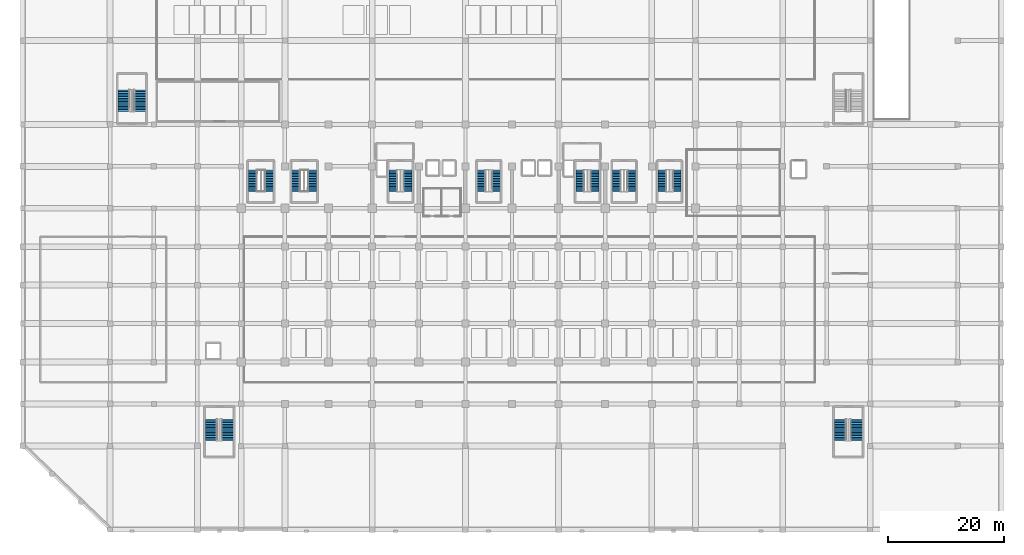
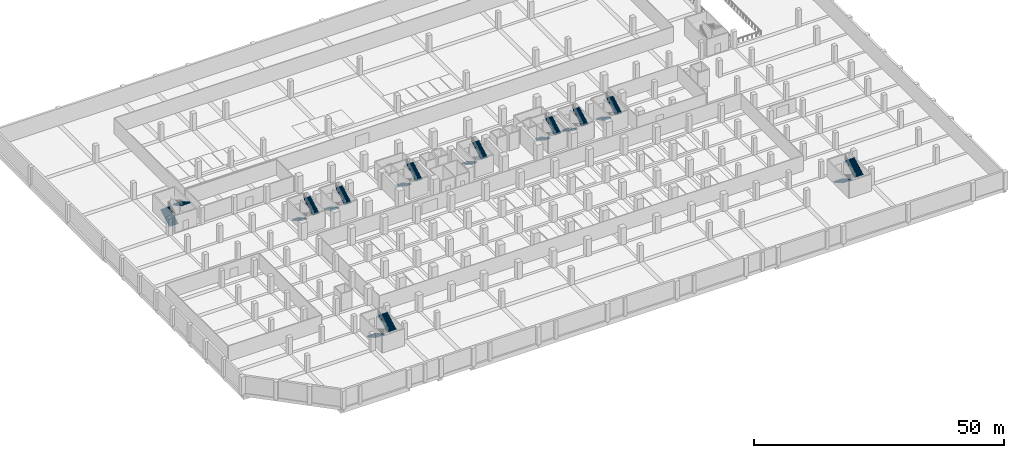
# One storey, part 19 of 25: 20 stair flights, 10 elements without a shape of their own.
"""IFC4 building model written with IfcOpenShell, lengths in metres."""

import ifcopenshell
import ifcopenshell.guid

model = None  # the IFC model being written
_history = None  # IfcOwnerHistory: only IFC2X3 demands one
_inside = {}  # id of a spatial element -> (the spatial element, [elements in it])
_under = {}  # id of a project, library or spatial element -> (it, [spatial elements below it])
_declared = {}  # id of a project -> (the project, [libraries it declares])
_typed = {}  # id of a type object -> (the type object, [elements of that type])
_made_of = {}  # id of a material, layer set ... -> (it, [elements and type objects made of it])


def new_model(schema):
    """Start an empty IFC model of exactly this schema.

    Asked for "IFC4X3", IfcOpenShell would pick the latest addendum, in which some entities
    have other attributes; the version numbers below select the first issue.
    IFC2X3 requires an IfcOwnerHistory on every rooted entity: one is made here for all.
    """
    global model, _history
    if schema == "IFC4X3":
        model = ifcopenshell.file(schema_version=(4, 3, 0, 0))
    else:
        model = ifcopenshell.file(schema=schema)
    _inside.clear()
    _under.clear()
    _declared.clear()
    _typed.clear()
    _made_of.clear()
    _history = None
    if model.schema == "IFC2X3":
        org = make("IfcOrganization", Name="unknown")
        user = make(
            "IfcPersonAndOrganization",
            ThePerson=make("IfcPerson", FamilyName="unknown"),
            TheOrganization=org,
        )
        app = make(
            "IfcApplication",
            ApplicationDeveloper=org,
            Version="unknown",
            ApplicationFullName="unknown",
            ApplicationIdentifier="unknown",
        )
        _history = make(
            "IfcOwnerHistory",
            OwningUser=user,
            OwningApplication=app,
            ChangeAction="ADDED",
            CreationDate=0,
        )
    return model


def make(cls, **values):
    """One entity of the class cls with the attributes given. An attribute that is None is left unset."""
    return model.create_entity(
        cls, **{name: value for name, value in values.items() if value is not None}
    )


def rooted(cls, **values):
    """An entity with a GlobalId (a new one), such as an element, a storey or a relation."""
    return make(cls, GlobalId=ifcopenshell.guid.new(), OwnerHistory=_history, **values)


def si_unit(unit_type, name, prefix=None):
    """IfcSIUnit, for example si_unit("LENGTHUNIT", "METRE", prefix="MILLI")."""
    return make("IfcSIUnit", UnitType=unit_type, Prefix=prefix, Name=name)


def assignment(units):
    """IfcUnitAssignment: the units of a project."""
    return None if units is None else make("IfcUnitAssignment", Units=units)


def point(xyz):
    """IfcCartesianPoint."""
    return None if xyz is None else make("IfcCartesianPoint", Coordinates=xyz)


def direction(xyz):
    """IfcDirection."""
    return None if xyz is None else make("IfcDirection", DirectionRatios=xyz)


def frame(location, z_axis=None, x_axis=None):
    """IfcAxis2Placement3D, a coordinate frame: its origin and axes. An axis left out is left unset."""
    return make(
        "IfcAxis2Placement3D",
        Location=point(location),
        Axis=direction(z_axis),
        RefDirection=direction(x_axis),
    )


def origin():
    """The frame at (0, 0, 0) with its axes left unset."""
    return frame((0.0, 0.0, 0.0))


def place(relative_to, where):
    """IfcLocalPlacement: puts the frame where relative to a parent placement (None: the world)."""
    return make(
        "IfcLocalPlacement", PlacementRelTo=relative_to, RelativePlacement=where
    )


def context(
    kind, dimensions, precision=None, world=None, true_north=None, identifier=None
):
    """IfcGeometricRepresentationContext, for example the 3D "Model" context."""
    return make(
        "IfcGeometricRepresentationContext",
        ContextIdentifier=identifier,
        ContextType=kind,
        CoordinateSpaceDimension=dimensions,
        Precision=precision,
        WorldCoordinateSystem=world,
        TrueNorth=true_north,
    )


def subcontext(parent, identifier, kind, view, scale=None):
    """IfcGeometricRepresentationSubContext, for example "Body" below "Model"."""
    return make(
        "IfcGeometricRepresentationSubContext",
        ContextIdentifier=identifier,
        ContextType=kind,
        ParentContext=parent,
        TargetScale=scale,
        TargetView=view,
    )


def project(units=None, contexts=None):
    """IfcProject with its units and contexts."""
    return rooted(
        "IfcProject",
        Name="project",
        RepresentationContexts=contexts,
        UnitsInContext=assignment(units),
    )


def spatial(cls, under=None, at=None, **own):
    """A site, building, storey or space (cls), placed at a placement, below another one or the project."""
    s = rooted(cls, ObjectPlacement=at, **own)
    if under is not None:
        _under.setdefault(under.id(), (under, []))[1].append(s)
    return s


def polyline(points):
    """IfcPolyline through the points."""
    return make("IfcPolyline", Points=[point(p) for p in points])


def outline(outer, holes=None, kind="AREA"):
    """IfcArbitraryClosedProfileDef: a profile drawn as a closed curve; with holes, ...WithVoids."""
    if holes is None:
        return make("IfcArbitraryClosedProfileDef", ProfileType=kind, OuterCurve=outer)
    return make(
        "IfcArbitraryProfileDefWithVoids",
        ProfileType=kind,
        OuterCurve=outer,
        InnerCurves=holes,
    )


def extrude(swept, where, along, depth):
    """IfcExtrudedAreaSolid: the profile swept, set in the frame where, extruded along a direction by depth."""
    return make(
        "IfcExtrudedAreaSolid",
        SweptArea=swept,
        Position=where,
        ExtrudedDirection=direction(along),
        Depth=depth,
    )


def shape(context_of_items, identifier, shape_type, items):
    """IfcShapeRepresentation: the items that make up one representation, for example the "Body"."""
    return make(
        "IfcShapeRepresentation",
        ContextOfItems=context_of_items,
        RepresentationIdentifier=identifier,
        RepresentationType=shape_type,
        Items=items,
    )


def material(Name=None, Category=None):
    """IfcMaterial."""
    return make("IfcMaterial", Name=Name, Category=Category)


def made_of(thing, what):
    """Note that an element or type object is made of a material, layer set ...; save() writes the relation."""
    if what is not None:
        _made_of.setdefault(what.id(), (what, []))[1].append(thing)
    return thing


def type_object(cls, material=None, **own):
    """A type object (cls), such as IfcWallType, which elements share."""
    return made_of(rooted(cls, **own), material)


def element(
    cls,
    number,
    at=None,
    inside=None,
    cuts=None,
    type_object=None,
    material=None,
    context=None,
    identifier="Body",
    shape_type=None,
    held_by="IfcProductDefinitionShape",
    body=None,
    shapes=None,
    **own,
):
    """One element of the class cls, such as IfcWall. Its Tag is "e" and its number.

    at: its placement. inside: the storey or other place that contains it. cuts: it is an
    opening in that element (IfcRelVoidsElement). A single representation is given by context,
    identifier, shape_type and body (its items); several are given by shapes. held_by: the class
    of the entity that holds the representations. save() writes the other relations.
    """
    e = rooted(cls, Tag="e%d" % number, ObjectPlacement=at, **own)
    if body is not None:
        shapes = [shape(context, identifier, shape_type, body)]
    if shapes is not None:
        e.Representation = make(held_by, Representations=shapes)
    if inside is not None:
        _inside.setdefault(inside.id(), (inside, []))[1].append(e)
    if cuts is not None:
        rooted(
            "IfcRelVoidsElement", RelatingBuildingElement=cuts, RelatedOpeningElement=e
        )
    if type_object is not None:
        _typed.setdefault(type_object.id(), (type_object, []))[1].append(e)
    return made_of(e, material)


def aggregate(whole, parts):
    """IfcRelAggregates: a whole, such as a stair, and the parts it consists of."""
    return rooted("IfcRelAggregates", RelatingObject=whole, RelatedObjects=parts)


def save(model, path):
    """Write the relations noted so far, then the file.

    IfcRelAggregates (storeys below a building ...), IfcRelContainedInSpatialStructure (elements
    in a storey), IfcRelDefinesByType, IfcRelAssociatesMaterial and IfcRelDeclares: one each for
    every whole, place, type object, material and project.
    """
    for whole, parts in _under.values():
        aggregate(whole, parts)
    for where, things in _inside.values():
        rooted(
            "IfcRelContainedInSpatialStructure",
            RelatedElements=things,
            RelatingStructure=where,
        )
    for kind, things in _typed.values():
        rooted("IfcRelDefinesByType", RelatedObjects=things, RelatingType=kind)
    for what, things in _made_of.values():
        rooted("IfcRelAssociatesMaterial", RelatedObjects=things, RelatingMaterial=what)
    for by, libraries in _declared.values():
        rooted("IfcRelDeclares", RelatingContext=by, RelatedDefinitions=libraries)
    model.write(path)


model = new_model("IFC4")

# Units and contexts
model_context = context("Model", 3, precision=1e-05, world=origin(), true_north=direction((0.0, 1.0)))
body_context = subcontext(model_context, "Body", "Model", "MODEL_VIEW")
ifc_project = project(units=[si_unit("LENGTHUNIT", "METRE"), si_unit("AREAUNIT", "SQUARE_METRE"), si_unit("VOLUMEUNIT", "CUBIC_METRE"), si_unit("PLANEANGLEUNIT", "RADIAN"), si_unit("MASSUNIT", "GRAM", prefix="KILO")], contexts=[model_context])

# Site, building, storey
site_placement = place(None, origin())
site = spatial("IfcSite", under=ifc_project, at=site_placement, CompositionType="ELEMENT")
building_placement = place(site_placement, origin())
building = spatial("IfcBuilding", under=site, at=building_placement, Name="Akrevak Sports Hall", CompositionType="ELEMENT")
storey_placement = place(building_placement, frame((0.0, 0.0, -4.5)))
storey = spatial("IfcBuildingStorey", under=building, at=storey_placement, Name="B01", CompositionType="ELEMENT", Elevation=-4.5)

# Stair, stair flights
ifc_material = material(Name="Concrete C40/50", Category="concrete")
stair_type_1 = type_object("IfcStairType", Name="ARC-STR-DOG-450", PredefinedType="HALF_TURN_STAIR", material=ifc_material)
stair_1_placement = place(storey_placement, origin())
stair_1 = element("IfcStair", 1, at=stair_1_placement, inside=storey, type_object=stair_type_1, Name="Protected Exit Stair ST1 (B01 to L00)", PredefinedType="HALF_TURN_STAIR")
stair_flight_type_1 = type_object("IfcStairFlightType", Name="ARC-FLT-165-161", PredefinedType="STRAIGHT", material=ifc_material)
stair_flight_1_placement = place(storey_placement, frame((63.610107421875, 61.735107421875, 0.0), z_axis=(0.0, 0.0, 1.0), x_axis=(0.0, -1.0, 0.0)))
stair_flight_1 = element("IfcStairFlight", 2, at=stair_flight_1_placement, type_object=stair_flight_type_1, Name="Stair ST1 Flight 1 (B01)", NumberOfRisers=14, NumberOfTreads=13, PredefinedType="STRAIGHT", RiserHeight=0.160714, TreadLength=0.28, context=body_context, shape_type="SweptSolid", body=[
    extrude(outline(polyline([(0.0, 0.0), (0.0, 0.16064453125), (0.280029296875, 0.16064453125), (0.280029296875, 0.321533203125), (0.56005859375, 0.321533203125), (0.56005859375, 0.482177734375), (0.840087890625, 0.482177734375), (0.840087890625, 0.642822265625), (1.1201171875, 0.642822265625), (1.1201171875, 0.803466796875), (1.39990234375, 0.803466796875), (1.39990234375, 0.96435546875), (1.679931640625, 0.96435546875), (1.679931640625, 1.125), (1.9599609375, 1.125), (1.9599609375, 1.28564453125), (2.239990234375, 1.28564453125), (2.239990234375, 1.446533203125), (2.52001953125, 1.446533203125), (2.52001953125, 1.607177734375), (2.800048828125, 1.607177734375), (2.800048828125, 1.767822265625), (3.080078125, 1.767822265625), (3.080078125, 1.928466796875), (3.360107421875, 1.928466796875), (3.360107421875, 2.08935546875), (3.639892578125, 2.08935546875), (3.639892578125, 2.25), (3.639892578125, 1.858642578125), (0.401611328125, 0.0), (0.0, 0.0)])), frame((0.0, 0.75, 0.0), z_axis=(0.0, -1.0, 0.0), x_axis=(1.0, 0.0, 0.0)), (0.0, 0.0, 1.0), 1.5),
])
stair_flight_2_placement = place(storey_placement, frame((66.090087890625, 58.094970703125, 2.25), z_axis=(0.0, 0.0, 1.0), x_axis=(0.0, 1.0, 0.0)))
stair_flight_2 = element("IfcStairFlight", 3, at=stair_flight_2_placement, type_object=stair_flight_type_1, Name="Stair ST1 Flight 2 (B01)", NumberOfRisers=14, NumberOfTreads=13, PredefinedType="STRAIGHT", RiserHeight=0.160714, TreadLength=0.28, context=body_context, shape_type="SweptSolid", body=[
    extrude(outline(polyline([(0.0, 0.0), (0.0, 0.16064453125), (0.280029296875, 0.16064453125), (0.280029296875, 0.321533203125), (0.56005859375, 0.321533203125), (0.56005859375, 0.482177734375), (0.840087890625, 0.482177734375), (0.840087890625, 0.642822265625), (1.1201171875, 0.642822265625), (1.1201171875, 0.803466796875), (1.39990234375, 0.803466796875), (1.39990234375, 0.96435546875), (1.679931640625, 0.96435546875), (1.679931640625, 1.125), (1.9599609375, 1.125), (1.9599609375, 1.28564453125), (2.239990234375, 1.28564453125), (2.239990234375, 1.446533203125), (2.52001953125, 1.446533203125), (2.52001953125, 1.607177734375), (2.800048828125, 1.607177734375), (2.800048828125, 1.767822265625), (3.080078125, 1.767822265625), (3.080078125, 1.928466796875), (3.360107421875, 1.928466796875), (3.360107421875, 2.08935546875), (3.639892578125, 2.08935546875), (3.639892578125, 2.25), (3.639892578125, 1.858642578125), (0.401611328125, 0.0), (0.0, 0.0)])), frame((0.0, 0.75, 0.0), z_axis=(0.0, -1.0, 0.0), x_axis=(1.0, 0.0, 0.0)), (0.0, 0.0, 1.0), 1.5),
])
aggregate(stair_1, [stair_flight_1, stair_flight_2])

stair_2_placement = place(storey_placement, origin())
stair_2 = element("IfcStair", 4, at=stair_2_placement, inside=storey, type_object=stair_type_1, Name="Protected Exit Stair ST2 (B01 to L00)", PredefinedType="HALF_TURN_STAIR")
stair_flight_3_placement = place(storey_placement, frame((95.7099609375, 61.735107421875, 0.0), z_axis=(0.0, 0.0, 1.0), x_axis=(0.0, -1.0, 0.0)))
stair_flight_3 = element("IfcStairFlight", 5, at=stair_flight_3_placement, type_object=stair_flight_type_1, Name="Stair ST2 Flight 1 (B01)", NumberOfRisers=14, NumberOfTreads=13, PredefinedType="STRAIGHT", RiserHeight=0.160714, TreadLength=0.28, context=body_context, shape_type="SweptSolid", body=[
    extrude(outline(polyline([(0.0, 0.0), (0.0, 0.16064453125), (0.280029296875, 0.16064453125), (0.280029296875, 0.321533203125), (0.56005859375, 0.321533203125), (0.56005859375, 0.482177734375), (0.840087890625, 0.482177734375), (0.840087890625, 0.642822265625), (1.1201171875, 0.642822265625), (1.1201171875, 0.803466796875), (1.39990234375, 0.803466796875), (1.39990234375, 0.96435546875), (1.679931640625, 0.96435546875), (1.679931640625, 1.125), (1.9599609375, 1.125), (1.9599609375, 1.28564453125), (2.239990234375, 1.28564453125), (2.239990234375, 1.446533203125), (2.52001953125, 1.446533203125), (2.52001953125, 1.607177734375), (2.800048828125, 1.607177734375), (2.800048828125, 1.767822265625), (3.080078125, 1.767822265625), (3.080078125, 1.928466796875), (3.360107421875, 1.928466796875), (3.360107421875, 2.08935546875), (3.639892578125, 2.08935546875), (3.639892578125, 2.25), (3.639892578125, 1.858642578125), (0.401611328125, 0.0), (0.0, 0.0)])), frame((0.0, 0.75, 0.0), z_axis=(0.0, -1.0, 0.0), x_axis=(1.0, 0.0, 0.0)), (0.0, 0.0, 1.0), 1.5),
])
stair_flight_4_placement = place(storey_placement, frame((98.18994140625, 58.094970703125, 2.25), z_axis=(0.0, 0.0, 1.0), x_axis=(0.0, 1.0, 0.0)))
stair_flight_4 = element("IfcStairFlight", 6, at=stair_flight_4_placement, type_object=stair_flight_type_1, Name="Stair ST2 Flight 2 (B01)", NumberOfRisers=14, NumberOfTreads=13, PredefinedType="STRAIGHT", RiserHeight=0.160714, TreadLength=0.28, context=body_context, shape_type="SweptSolid", body=[
    extrude(outline(polyline([(0.0, 0.0), (0.0, 0.16064453125), (0.280029296875, 0.16064453125), (0.280029296875, 0.321533203125), (0.56005859375, 0.321533203125), (0.56005859375, 0.482177734375), (0.840087890625, 0.482177734375), (0.840087890625, 0.642822265625), (1.1201171875, 0.642822265625), (1.1201171875, 0.803466796875), (1.39990234375, 0.803466796875), (1.39990234375, 0.96435546875), (1.679931640625, 0.96435546875), (1.679931640625, 1.125), (1.9599609375, 1.125), (1.9599609375, 1.28564453125), (2.239990234375, 1.28564453125), (2.239990234375, 1.446533203125), (2.52001953125, 1.446533203125), (2.52001953125, 1.607177734375), (2.800048828125, 1.607177734375), (2.800048828125, 1.767822265625), (3.080078125, 1.767822265625), (3.080078125, 1.928466796875), (3.360107421875, 1.928466796875), (3.360107421875, 2.08935546875), (3.639892578125, 2.08935546875), (3.639892578125, 2.25), (3.639892578125, 1.858642578125), (0.401611328125, 0.0), (0.0, 0.0)])), frame((0.0, 0.75, 0.0), z_axis=(0.0, -1.0, 0.0), x_axis=(1.0, 0.0, 0.0)), (0.0, 0.0, 1.0), 1.5),
])
aggregate(stair_2, [stair_flight_3, stair_flight_4])

stair_3_placement = place(storey_placement, origin())
stair_3 = element("IfcStair", 7, at=stair_3_placement, inside=storey, type_object=stair_type_1, Name="Protected Exit Stair ST3 (B01 to L00)", PredefinedType="HALF_TURN_STAIR")
stair_flight_5_placement = place(storey_placement, frame((78.760009765625, 61.735107421875, 0.0), z_axis=(0.0, 0.0, 1.0), x_axis=(0.0, -1.0, 0.0)))
stair_flight_5 = element("IfcStairFlight", 8, at=stair_flight_5_placement, type_object=stair_flight_type_1, Name="Stair ST3 Flight 1 (B01)", NumberOfRisers=14, NumberOfTreads=13, PredefinedType="STRAIGHT", RiserHeight=0.160714, TreadLength=0.28, context=body_context, shape_type="SweptSolid", body=[
    extrude(outline(polyline([(0.0, 0.0), (0.0, 0.16064453125), (0.280029296875, 0.16064453125), (0.280029296875, 0.321533203125), (0.56005859375, 0.321533203125), (0.56005859375, 0.482177734375), (0.840087890625, 0.482177734375), (0.840087890625, 0.642822265625), (1.1201171875, 0.642822265625), (1.1201171875, 0.803466796875), (1.39990234375, 0.803466796875), (1.39990234375, 0.96435546875), (1.679931640625, 0.96435546875), (1.679931640625, 1.125), (1.9599609375, 1.125), (1.9599609375, 1.28564453125), (2.239990234375, 1.28564453125), (2.239990234375, 1.446533203125), (2.52001953125, 1.446533203125), (2.52001953125, 1.607177734375), (2.800048828125, 1.607177734375), (2.800048828125, 1.767822265625), (3.080078125, 1.767822265625), (3.080078125, 1.928466796875), (3.360107421875, 1.928466796875), (3.360107421875, 2.08935546875), (3.639892578125, 2.08935546875), (3.639892578125, 2.25), (3.639892578125, 1.858642578125), (0.401611328125, 0.0), (0.0, 0.0)])), frame((0.0, 0.75, 0.0), z_axis=(0.0, -1.0, 0.0), x_axis=(1.0, 0.0, 0.0)), (0.0, 0.0, 1.0), 1.5),
])
stair_flight_6_placement = place(storey_placement, frame((81.239990234375, 58.094970703125, 2.25), z_axis=(0.0, 0.0, 1.0), x_axis=(0.0, 1.0, 0.0)))
stair_flight_6 = element("IfcStairFlight", 9, at=stair_flight_6_placement, type_object=stair_flight_type_1, Name="Stair ST3 Flight 2 (B01)", NumberOfRisers=14, NumberOfTreads=13, PredefinedType="STRAIGHT", RiserHeight=0.160714, TreadLength=0.28, context=body_context, shape_type="SweptSolid", body=[
    extrude(outline(polyline([(0.0, 0.0), (0.0, 0.16064453125), (0.280029296875, 0.16064453125), (0.280029296875, 0.321533203125), (0.56005859375, 0.321533203125), (0.56005859375, 0.482177734375), (0.840087890625, 0.482177734375), (0.840087890625, 0.642822265625), (1.1201171875, 0.642822265625), (1.1201171875, 0.803466796875), (1.39990234375, 0.803466796875), (1.39990234375, 0.96435546875), (1.679931640625, 0.96435546875), (1.679931640625, 1.125), (1.9599609375, 1.125), (1.9599609375, 1.28564453125), (2.239990234375, 1.28564453125), (2.239990234375, 1.446533203125), (2.52001953125, 1.446533203125), (2.52001953125, 1.607177734375), (2.800048828125, 1.607177734375), (2.800048828125, 1.767822265625), (3.080078125, 1.767822265625), (3.080078125, 1.928466796875), (3.360107421875, 1.928466796875), (3.360107421875, 2.08935546875), (3.639892578125, 2.08935546875), (3.639892578125, 2.25), (3.639892578125, 1.858642578125), (0.401611328125, 0.0), (0.0, 0.0)])), frame((0.0, 0.75, 0.0), z_axis=(0.0, -1.0, 0.0), x_axis=(1.0, 0.0, 0.0)), (0.0, 0.0, 1.0), 1.5),
])
aggregate(stair_3, [stair_flight_5, stair_flight_6])

stair_4_placement = place(storey_placement, origin())
stair_4 = element("IfcStair", 10, at=stair_4_placement, inside=storey, type_object=stair_type_1, Name="East Wing Exit Stair ST10 (B01 to L00)", PredefinedType="HALF_TURN_STAIR")
stair_flight_7_placement = place(storey_placement, frame((102.010009765625, 61.735107421875, 0.0), z_axis=(0.0, 0.0, 1.0), x_axis=(0.0, -1.0, 0.0)))
stair_flight_7 = element("IfcStairFlight", 11, at=stair_flight_7_placement, type_object=stair_flight_type_1, Name="Stair ST10 Flight 1 (B01)", NumberOfRisers=14, NumberOfTreads=13, PredefinedType="STRAIGHT", RiserHeight=0.160714, TreadLength=0.28, context=body_context, shape_type="SweptSolid", body=[
    extrude(outline(polyline([(0.0, 0.0), (0.0, 0.16064453125), (0.280029296875, 0.16064453125), (0.280029296875, 0.321533203125), (0.56005859375, 0.321533203125), (0.56005859375, 0.482177734375), (0.840087890625, 0.482177734375), (0.840087890625, 0.642822265625), (1.1201171875, 0.642822265625), (1.1201171875, 0.803466796875), (1.39990234375, 0.803466796875), (1.39990234375, 0.96435546875), (1.679931640625, 0.96435546875), (1.679931640625, 1.125), (1.9599609375, 1.125), (1.9599609375, 1.28564453125), (2.239990234375, 1.28564453125), (2.239990234375, 1.446533203125), (2.52001953125, 1.446533203125), (2.52001953125, 1.607177734375), (2.800048828125, 1.607177734375), (2.800048828125, 1.767822265625), (3.080078125, 1.767822265625), (3.080078125, 1.928466796875), (3.360107421875, 1.928466796875), (3.360107421875, 2.08935546875), (3.639892578125, 2.08935546875), (3.639892578125, 2.25), (3.639892578125, 1.858642578125), (0.401611328125, 0.0), (0.0, 0.0)])), frame((0.0, 0.75, 0.0), z_axis=(0.0, -1.0, 0.0), x_axis=(1.0, 0.0, 0.0)), (0.0, 0.0, 1.0), 1.5),
])
stair_flight_8_placement = place(storey_placement, frame((104.489990234375, 58.094970703125, 2.25), z_axis=(0.0, 0.0, 1.0), x_axis=(0.0, 1.0, 0.0)))
stair_flight_8 = element("IfcStairFlight", 12, at=stair_flight_8_placement, type_object=stair_flight_type_1, Name="Stair ST10 Flight 2 (B01)", NumberOfRisers=14, NumberOfTreads=13, PredefinedType="STRAIGHT", RiserHeight=0.160714, TreadLength=0.28, context=body_context, shape_type="SweptSolid", body=[
    extrude(outline(polyline([(0.0, 0.0), (0.0, 0.16064453125), (0.280029296875, 0.16064453125), (0.280029296875, 0.321533203125), (0.56005859375, 0.321533203125), (0.56005859375, 0.482177734375), (0.840087890625, 0.482177734375), (0.840087890625, 0.642822265625), (1.1201171875, 0.642822265625), (1.1201171875, 0.803466796875), (1.39990234375, 0.803466796875), (1.39990234375, 0.96435546875), (1.679931640625, 0.96435546875), (1.679931640625, 1.125), (1.9599609375, 1.125), (1.9599609375, 1.28564453125), (2.239990234375, 1.28564453125), (2.239990234375, 1.446533203125), (2.52001953125, 1.446533203125), (2.52001953125, 1.607177734375), (2.800048828125, 1.607177734375), (2.800048828125, 1.767822265625), (3.080078125, 1.767822265625), (3.080078125, 1.928466796875), (3.360107421875, 1.928466796875), (3.360107421875, 2.08935546875), (3.639892578125, 2.08935546875), (3.639892578125, 2.25), (3.639892578125, 1.858642578125), (0.401611328125, 0.0), (0.0, 0.0)])), frame((0.0, 0.75, 0.0), z_axis=(0.0, -1.0, 0.0), x_axis=(1.0, 0.0, 0.0)), (0.0, 0.0, 1.0), 1.5),
])
aggregate(stair_4, [stair_flight_7, stair_flight_8])

stair_5_placement = place(storey_placement, origin())
stair_5 = element("IfcStair", 13, at=stair_5_placement, inside=storey, type_object=stair_type_1, Name="East Transfer Exit Stair ST11 (B01 to L00)", PredefinedType="HALF_TURN_STAIR")
stair_flight_9_placement = place(storey_placement, frame((109.81005859375, 61.735107421875, 0.0), z_axis=(0.0, 0.0, 1.0), x_axis=(0.0, -1.0, 0.0)))
stair_flight_9 = element("IfcStairFlight", 14, at=stair_flight_9_placement, type_object=stair_flight_type_1, Name="Stair ST11 Flight 1 (B01)", NumberOfRisers=14, NumberOfTreads=13, PredefinedType="STRAIGHT", RiserHeight=0.160714, TreadLength=0.28, context=body_context, shape_type="SweptSolid", body=[
    extrude(outline(polyline([(0.0, 0.0), (0.0, 0.16064453125), (0.280029296875, 0.16064453125), (0.280029296875, 0.321533203125), (0.56005859375, 0.321533203125), (0.56005859375, 0.482177734375), (0.840087890625, 0.482177734375), (0.840087890625, 0.642822265625), (1.1201171875, 0.642822265625), (1.1201171875, 0.803466796875), (1.39990234375, 0.803466796875), (1.39990234375, 0.96435546875), (1.679931640625, 0.96435546875), (1.679931640625, 1.125), (1.9599609375, 1.125), (1.9599609375, 1.28564453125), (2.239990234375, 1.28564453125), (2.239990234375, 1.446533203125), (2.52001953125, 1.446533203125), (2.52001953125, 1.607177734375), (2.800048828125, 1.607177734375), (2.800048828125, 1.767822265625), (3.080078125, 1.767822265625), (3.080078125, 1.928466796875), (3.360107421875, 1.928466796875), (3.360107421875, 2.08935546875), (3.639892578125, 2.08935546875), (3.639892578125, 2.25), (3.639892578125, 1.858642578125), (0.401611328125, 0.0), (0.0, 0.0)])), frame((0.0, 0.75, 0.0), z_axis=(0.0, -1.0, 0.0), x_axis=(1.0, 0.0, 0.0)), (0.0, 0.0, 1.0), 1.5),
])
stair_flight_10_placement = place(storey_placement, frame((112.2900390625, 58.094970703125, 2.25), z_axis=(0.0, 0.0, 1.0), x_axis=(0.0, 1.0, 0.0)))
stair_flight_10 = element("IfcStairFlight", 15, at=stair_flight_10_placement, type_object=stair_flight_type_1, Name="Stair ST11 Flight 2 (B01)", NumberOfRisers=14, NumberOfTreads=13, PredefinedType="STRAIGHT", RiserHeight=0.160714, TreadLength=0.28, context=body_context, shape_type="SweptSolid", body=[
    extrude(outline(polyline([(0.0, 0.0), (0.0, 0.16064453125), (0.280029296875, 0.16064453125), (0.280029296875, 0.321533203125), (0.56005859375, 0.321533203125), (0.56005859375, 0.482177734375), (0.840087890625, 0.482177734375), (0.840087890625, 0.642822265625), (1.1201171875, 0.642822265625), (1.1201171875, 0.803466796875), (1.39990234375, 0.803466796875), (1.39990234375, 0.96435546875), (1.679931640625, 0.96435546875), (1.679931640625, 1.125), (1.9599609375, 1.125), (1.9599609375, 1.28564453125), (2.239990234375, 1.28564453125), (2.239990234375, 1.446533203125), (2.52001953125, 1.446533203125), (2.52001953125, 1.607177734375), (2.800048828125, 1.607177734375), (2.800048828125, 1.767822265625), (3.080078125, 1.767822265625), (3.080078125, 1.928466796875), (3.360107421875, 1.928466796875), (3.360107421875, 2.08935546875), (3.639892578125, 2.08935546875), (3.639892578125, 2.25), (3.639892578125, 1.858642578125), (0.401611328125, 0.0), (0.0, 0.0)])), frame((0.0, 0.75, 0.0), z_axis=(0.0, -1.0, 0.0), x_axis=(1.0, 0.0, 0.0)), (0.0, 0.0, 1.0), 1.5),
])
aggregate(stair_5, [stair_flight_9, stair_flight_10])

stair_type_2 = type_object("IfcStairType", Name="ARC-STR-MDOG-450", PredefinedType="HALF_TURN_STAIR", material=ifc_material)
stair_6_placement = place(storey_placement, origin())
stair_6 = element("IfcStair", 16, at=stair_6_placement, inside=storey, type_object=stair_type_2, Name="Protected Exit Stair ST4 (B01 to L00)", PredefinedType="HALF_TURN_STAIR")
stair_flight_type_2 = type_object("IfcStairFlightType", Name="ARC-FLT-200-161", PredefinedType="STRAIGHT", material=ifc_material)
stair_flight_11_placement = place(storey_placement, frame((46.9150390625, 61.735107421875, 0.0), z_axis=(0.0, 0.0, 1.0), x_axis=(0.0, -1.0, 0.0)))
stair_flight_11 = element("IfcStairFlight", 17, at=stair_flight_11_placement, type_object=stair_flight_type_2, Name="Stair ST4 Flight 1 (B01)", NumberOfRisers=14, NumberOfTreads=13, PredefinedType="STRAIGHT", RiserHeight=0.160714, TreadLength=0.28, context=body_context, shape_type="SweptSolid", body=[
    extrude(outline(polyline([(0.0, 0.0), (0.0, 0.16064453125), (0.280029296875, 0.16064453125), (0.280029296875, 0.321533203125), (0.56005859375, 0.321533203125), (0.56005859375, 0.482177734375), (0.840087890625, 0.482177734375), (0.840087890625, 0.642822265625), (1.1201171875, 0.642822265625), (1.1201171875, 0.803466796875), (1.39990234375, 0.803466796875), (1.39990234375, 0.96435546875), (1.679931640625, 0.96435546875), (1.679931640625, 1.125), (1.9599609375, 1.125), (1.9599609375, 1.28564453125), (2.239990234375, 1.28564453125), (2.239990234375, 1.446533203125), (2.52001953125, 1.446533203125), (2.52001953125, 1.607177734375), (2.800048828125, 1.607177734375), (2.800048828125, 1.767822265625), (3.080078125, 1.767822265625), (3.080078125, 1.928466796875), (3.360107421875, 1.928466796875), (3.360107421875, 2.08935546875), (3.639892578125, 2.08935546875), (3.639892578125, 2.25), (3.639892578125, 1.858642578125), (0.401611328125, 0.0), (0.0, 0.0)])), frame((0.0, 0.7548828125, 0.0), z_axis=(0.0, -1.0, 0.0), x_axis=(1.0, 0.0, 0.0)), (0.0, 0.0, 1.0), 1.510009765625),
])
stair_flight_12_placement = place(storey_placement, frame((49.68505859375, 58.094970703125, 2.25), z_axis=(0.0, 0.0, 1.0), x_axis=(0.0, 1.0, 0.0)))
stair_flight_12 = element("IfcStairFlight", 18, at=stair_flight_12_placement, type_object=stair_flight_type_2, Name="Stair ST4 Flight 2 (B01)", NumberOfRisers=14, NumberOfTreads=13, PredefinedType="STRAIGHT", RiserHeight=0.160714, TreadLength=0.28, context=body_context, shape_type="SweptSolid", body=[
    extrude(outline(polyline([(0.0, 0.0), (0.0, 0.16064453125), (0.280029296875, 0.16064453125), (0.280029296875, 0.321533203125), (0.56005859375, 0.321533203125), (0.56005859375, 0.482177734375), (0.840087890625, 0.482177734375), (0.840087890625, 0.642822265625), (1.1201171875, 0.642822265625), (1.1201171875, 0.803466796875), (1.39990234375, 0.803466796875), (1.39990234375, 0.96435546875), (1.679931640625, 0.96435546875), (1.679931640625, 1.125), (1.9599609375, 1.125), (1.9599609375, 1.28564453125), (2.239990234375, 1.28564453125), (2.239990234375, 1.446533203125), (2.52001953125, 1.446533203125), (2.52001953125, 1.607177734375), (2.800048828125, 1.607177734375), (2.800048828125, 1.767822265625), (3.080078125, 1.767822265625), (3.080078125, 1.928466796875), (3.360107421875, 1.928466796875), (3.360107421875, 2.08935546875), (3.639892578125, 2.08935546875), (3.639892578125, 2.25), (3.639892578125, 1.858642578125), (0.401611328125, 0.0), (0.0, 0.0)])), frame((0.0, 0.7548828125, 0.0), z_axis=(0.0, -1.0, 0.0), x_axis=(1.0, 0.0, 0.0)), (0.0, 0.0, 1.0), 1.510009765625),
])
aggregate(stair_6, [stair_flight_11, stair_flight_12])

stair_7_placement = place(storey_placement, origin())
stair_7 = element("IfcStair", 19, at=stair_7_placement, inside=storey, type_object=stair_type_2, Name="Transfer West Exit Stair ST9 (B01 to L00)", PredefinedType="HALF_TURN_STAIR")
stair_flight_13_placement = place(storey_placement, frame((39.514892578125, 61.735107421875, 0.0), z_axis=(0.0, 0.0, 1.0), x_axis=(0.0, -1.0, 0.0)))
stair_flight_13 = element("IfcStairFlight", 20, at=stair_flight_13_placement, type_object=stair_flight_type_2, Name="Stair ST9 Flight 1 (B01)", NumberOfRisers=14, NumberOfTreads=13, PredefinedType="STRAIGHT", RiserHeight=0.160714, TreadLength=0.28, context=body_context, shape_type="SweptSolid", body=[
    extrude(outline(polyline([(0.0, 0.0), (0.0, 0.16064453125), (0.280029296875, 0.16064453125), (0.280029296875, 0.321533203125), (0.56005859375, 0.321533203125), (0.56005859375, 0.482177734375), (0.840087890625, 0.482177734375), (0.840087890625, 0.642822265625), (1.1201171875, 0.642822265625), (1.1201171875, 0.803466796875), (1.39990234375, 0.803466796875), (1.39990234375, 0.96435546875), (1.679931640625, 0.96435546875), (1.679931640625, 1.125), (1.9599609375, 1.125), (1.9599609375, 1.28564453125), (2.239990234375, 1.28564453125), (2.239990234375, 1.446533203125), (2.52001953125, 1.446533203125), (2.52001953125, 1.607177734375), (2.800048828125, 1.607177734375), (2.800048828125, 1.767822265625), (3.080078125, 1.767822265625), (3.080078125, 1.928466796875), (3.360107421875, 1.928466796875), (3.360107421875, 2.08935546875), (3.639892578125, 2.08935546875), (3.639892578125, 2.25), (3.639892578125, 1.858642578125), (0.401611328125, 0.0), (0.0, 0.0)])), frame((0.0, 0.7548828125, 0.0), z_axis=(0.0, -1.0, 0.0), x_axis=(1.0, 0.0, 0.0)), (0.0, 0.0, 1.0), 1.510009765625),
])
stair_flight_14_placement = place(storey_placement, frame((42.284912109375, 58.094970703125, 2.25), z_axis=(0.0, 0.0, 1.0), x_axis=(0.0, 1.0, 0.0)))
stair_flight_14 = element("IfcStairFlight", 21, at=stair_flight_14_placement, type_object=stair_flight_type_2, Name="Stair ST9 Flight 2 (B01)", NumberOfRisers=14, NumberOfTreads=13, PredefinedType="STRAIGHT", RiserHeight=0.160714, TreadLength=0.28, context=body_context, shape_type="SweptSolid", body=[
    extrude(outline(polyline([(0.0, 0.0), (0.0, 0.16064453125), (0.280029296875, 0.16064453125), (0.280029296875, 0.321533203125), (0.56005859375, 0.321533203125), (0.56005859375, 0.482177734375), (0.840087890625, 0.482177734375), (0.840087890625, 0.642822265625), (1.1201171875, 0.642822265625), (1.1201171875, 0.803466796875), (1.39990234375, 0.803466796875), (1.39990234375, 0.96435546875), (1.679931640625, 0.96435546875), (1.679931640625, 1.125), (1.9599609375, 1.125), (1.9599609375, 1.28564453125), (2.239990234375, 1.28564453125), (2.239990234375, 1.446533203125), (2.52001953125, 1.446533203125), (2.52001953125, 1.607177734375), (2.800048828125, 1.607177734375), (2.800048828125, 1.767822265625), (3.080078125, 1.767822265625), (3.080078125, 1.928466796875), (3.360107421875, 1.928466796875), (3.360107421875, 2.08935546875), (3.639892578125, 2.08935546875), (3.639892578125, 2.25), (3.639892578125, 1.858642578125), (0.401611328125, 0.0), (0.0, 0.0)])), frame((0.0, 0.7548828125, 0.0), z_axis=(0.0, -1.0, 0.0), x_axis=(1.0, 0.0, 0.0)), (0.0, 0.0, 1.0), 1.510009765625),
])
aggregate(stair_7, [stair_flight_13, stair_flight_14])

stair_type_3 = type_object("IfcStairType", Name="ARC-STR-PDOG-450", PredefinedType="HALF_TURN_STAIR", material=ifc_material)
stair_8_placement = place(storey_placement, origin())
stair_8 = element("IfcStair", 22, at=stair_8_placement, inside=storey, type_object=stair_type_3, Name="Podium SW Exit Stair ST5 (B01 to L00)", PredefinedType="HALF_TURN_STAIR")
stair_flight_type_3 = type_object("IfcStairFlightType", Name="ARC-FLT-225-161", PredefinedType="STRAIGHT", material=ifc_material)
stair_flight_15_placement = place(storey_placement, frame((32.385009765625, 18.949951171875, 0.0), z_axis=(0.0, 0.0, 1.0), x_axis=(0.0, -1.0, 0.0)))
stair_flight_15 = element("IfcStairFlight", 23, at=stair_flight_15_placement, type_object=stair_flight_type_3, Name="Stair ST5 Flight 1 (B01)", NumberOfRisers=14, NumberOfTreads=13, PredefinedType="STRAIGHT", RiserHeight=0.160714, TreadLength=0.28, context=body_context, shape_type="SweptSolid", body=[
    extrude(outline(polyline([(0.0, 0.0), (0.0, 0.16064453125), (0.280029296875, 0.16064453125), (0.280029296875, 0.321533203125), (0.56005859375, 0.321533203125), (0.56005859375, 0.482177734375), (0.840087890625, 0.482177734375), (0.840087890625, 0.642822265625), (1.1201171875, 0.642822265625), (1.1201171875, 0.803466796875), (1.39990234375, 0.803466796875), (1.39990234375, 0.96435546875), (1.679931640625, 0.96435546875), (1.679931640625, 1.125), (1.9599609375, 1.125), (1.9599609375, 1.28564453125), (2.239990234375, 1.28564453125), (2.239990234375, 1.446533203125), (2.52001953125, 1.446533203125), (2.52001953125, 1.607177734375), (2.800048828125, 1.607177734375), (2.800048828125, 1.767822265625), (3.080078125, 1.767822265625), (3.080078125, 1.928466796875), (3.360107421875, 1.928466796875), (3.360107421875, 2.08935546875), (3.639892578125, 2.08935546875), (3.639892578125, 2.25), (3.639892578125, 1.858642578125), (0.401611328125, 0.0), (0.0, 0.0)])), frame((0.0, 1.02490234375, 0.0), z_axis=(0.0, -1.0, 0.0), x_axis=(1.0, 0.0, 0.0)), (0.0, 0.0, 1.0), 2.050048828125),
])
stair_flight_16_placement = place(storey_placement, frame((35.114990234375, 15.31005859375, 2.25), z_axis=(0.0, 0.0, 1.0), x_axis=(0.0, 1.0, 0.0)))
stair_flight_16 = element("IfcStairFlight", 24, at=stair_flight_16_placement, type_object=stair_flight_type_3, Name="Stair ST5 Flight 2 (B01)", NumberOfRisers=14, NumberOfTreads=13, PredefinedType="STRAIGHT", RiserHeight=0.160714, TreadLength=0.28, context=body_context, shape_type="SweptSolid", body=[
    extrude(outline(polyline([(0.0, 0.0), (0.0, 0.16064453125), (0.280029296875, 0.16064453125), (0.280029296875, 0.321533203125), (0.56005859375, 0.321533203125), (0.56005859375, 0.482177734375), (0.840087890625, 0.482177734375), (0.840087890625, 0.642822265625), (1.1201171875, 0.642822265625), (1.1201171875, 0.803466796875), (1.39990234375, 0.803466796875), (1.39990234375, 0.96435546875), (1.679931640625, 0.96435546875), (1.679931640625, 1.125), (1.9599609375, 1.125), (1.9599609375, 1.28564453125), (2.239990234375, 1.28564453125), (2.239990234375, 1.446533203125), (2.52001953125, 1.446533203125), (2.52001953125, 1.607177734375), (2.800048828125, 1.607177734375), (2.800048828125, 1.767822265625), (3.080078125, 1.767822265625), (3.080078125, 1.928466796875), (3.360107421875, 1.928466796875), (3.360107421875, 2.08935546875), (3.639892578125, 2.08935546875), (3.639892578125, 2.25), (3.639892578125, 1.858642578125), (0.401611328125, 0.0), (0.0, 0.0)])), frame((0.0, 1.02490234375, 0.0), z_axis=(0.0, -1.0, 0.0), x_axis=(1.0, 0.0, 0.0)), (0.0, 0.0, 1.0), 2.050048828125),
])
aggregate(stair_8, [stair_flight_15, stair_flight_16])

stair_9_placement = place(storey_placement, origin())
stair_9 = element("IfcStair", 25, at=stair_9_placement, inside=storey, type_object=stair_type_3, Name="Podium NW Exit Stair ST6 (B01 to L00)", PredefinedType="HALF_TURN_STAIR")
stair_flight_17_placement = place(storey_placement, frame((17.385009765625, 71.85009765625, 0.0), z_axis=(0.0, 0.0, 1.0), x_axis=(0.0, 1.0, 0.0)))
stair_flight_17 = element("IfcStairFlight", 26, at=stair_flight_17_placement, type_object=stair_flight_type_3, Name="Stair ST6 Flight 1 (B01)", NumberOfRisers=14, NumberOfTreads=13, PredefinedType="STRAIGHT", RiserHeight=0.160714, TreadLength=0.28, context=body_context, shape_type="SweptSolid", body=[
    extrude(outline(polyline([(0.0, 0.0), (0.0, 0.16064453125), (0.280029296875, 0.16064453125), (0.280029296875, 0.321533203125), (0.56005859375, 0.321533203125), (0.56005859375, 0.482177734375), (0.840087890625, 0.482177734375), (0.840087890625, 0.642822265625), (1.1201171875, 0.642822265625), (1.1201171875, 0.803466796875), (1.39990234375, 0.803466796875), (1.39990234375, 0.96435546875), (1.679931640625, 0.96435546875), (1.679931640625, 1.125), (1.9599609375, 1.125), (1.9599609375, 1.28564453125), (2.239990234375, 1.28564453125), (2.239990234375, 1.446533203125), (2.52001953125, 1.446533203125), (2.52001953125, 1.607177734375), (2.800048828125, 1.607177734375), (2.800048828125, 1.767822265625), (3.080078125, 1.767822265625), (3.080078125, 1.928466796875), (3.360107421875, 1.928466796875), (3.360107421875, 2.08935546875), (3.639892578125, 2.08935546875), (3.639892578125, 2.25), (3.639892578125, 1.858642578125), (0.401611328125, 0.0), (0.0, 0.0)])), frame((0.0, 1.02490234375, 0.0), z_axis=(0.0, -1.0, 0.0), x_axis=(1.0, 0.0, 0.0)), (0.0, 0.0, 1.0), 2.050048828125),
])
stair_flight_18_placement = place(storey_placement, frame((20.114990234375, 75.489990234375, 2.25), z_axis=(0.0, 0.0, 1.0), x_axis=(0.0, -1.0, 0.0)))
stair_flight_18 = element("IfcStairFlight", 27, at=stair_flight_18_placement, type_object=stair_flight_type_3, Name="Stair ST6 Flight 2 (B01)", NumberOfRisers=14, NumberOfTreads=13, PredefinedType="STRAIGHT", RiserHeight=0.160714, TreadLength=0.28, context=body_context, shape_type="SweptSolid", body=[
    extrude(outline(polyline([(0.0, 0.0), (0.0, 0.16064453125), (0.280029296875, 0.16064453125), (0.280029296875, 0.321533203125), (0.56005859375, 0.321533203125), (0.56005859375, 0.482177734375), (0.840087890625, 0.482177734375), (0.840087890625, 0.642822265625), (1.1201171875, 0.642822265625), (1.1201171875, 0.803466796875), (1.39990234375, 0.803466796875), (1.39990234375, 0.96435546875), (1.679931640625, 0.96435546875), (1.679931640625, 1.125), (1.9599609375, 1.125), (1.9599609375, 1.28564453125), (2.239990234375, 1.28564453125), (2.239990234375, 1.446533203125), (2.52001953125, 1.446533203125), (2.52001953125, 1.607177734375), (2.800048828125, 1.607177734375), (2.800048828125, 1.767822265625), (3.080078125, 1.767822265625), (3.080078125, 1.928466796875), (3.360107421875, 1.928466796875), (3.360107421875, 2.08935546875), (3.639892578125, 2.08935546875), (3.639892578125, 2.25), (3.639892578125, 1.858642578125), (0.401611328125, 0.0), (0.0, 0.0)])), frame((0.0, 1.02490234375, 0.0), z_axis=(0.0, -1.0, 0.0), x_axis=(1.0, 0.0, 0.0)), (0.0, 0.0, 1.0), 2.050048828125),
])
aggregate(stair_9, [stair_flight_17, stair_flight_18])

stair_10_placement = place(storey_placement, origin())
stair_10 = element("IfcStair", 28, at=stair_10_placement, inside=storey, type_object=stair_type_3, Name="Podium SE Exit Stair ST7 (B01 to L00)", PredefinedType="HALF_TURN_STAIR")
stair_flight_19_placement = place(storey_placement, frame((140.385009765625, 18.949951171875, 0.0), z_axis=(0.0, 0.0, 1.0), x_axis=(0.0, -1.0, 0.0)))
stair_flight_19 = element("IfcStairFlight", 29, at=stair_flight_19_placement, type_object=stair_flight_type_3, Name="Stair ST7 Flight 1 (B01)", NumberOfRisers=14, NumberOfTreads=13, PredefinedType="STRAIGHT", RiserHeight=0.160714, TreadLength=0.28, context=body_context, shape_type="SweptSolid", body=[
    extrude(outline(polyline([(0.0, 0.0), (0.0, 0.16064453125), (0.280029296875, 0.16064453125), (0.280029296875, 0.321533203125), (0.56005859375, 0.321533203125), (0.56005859375, 0.482177734375), (0.840087890625, 0.482177734375), (0.840087890625, 0.642822265625), (1.1201171875, 0.642822265625), (1.1201171875, 0.803466796875), (1.39990234375, 0.803466796875), (1.39990234375, 0.96435546875), (1.679931640625, 0.96435546875), (1.679931640625, 1.125), (1.9599609375, 1.125), (1.9599609375, 1.28564453125), (2.239990234375, 1.28564453125), (2.239990234375, 1.446533203125), (2.52001953125, 1.446533203125), (2.52001953125, 1.607177734375), (2.800048828125, 1.607177734375), (2.800048828125, 1.767822265625), (3.080078125, 1.767822265625), (3.080078125, 1.928466796875), (3.360107421875, 1.928466796875), (3.360107421875, 2.08935546875), (3.639892578125, 2.08935546875), (3.639892578125, 2.25), (3.639892578125, 1.858642578125), (0.401611328125, 0.0), (0.0, 0.0)])), frame((0.0, 1.02490234375, 0.0), z_axis=(0.0, -1.0, 0.0), x_axis=(1.0, 0.0, 0.0)), (0.0, 0.0, 1.0), 2.050048828125),
])
stair_flight_20_placement = place(storey_placement, frame((143.114990234375, 15.31005859375, 2.25), z_axis=(0.0, 0.0, 1.0), x_axis=(0.0, 1.0, 0.0)))
stair_flight_20 = element("IfcStairFlight", 30, at=stair_flight_20_placement, type_object=stair_flight_type_3, Name="Stair ST7 Flight 2 (B01)", NumberOfRisers=14, NumberOfTreads=13, PredefinedType="STRAIGHT", RiserHeight=0.160714, TreadLength=0.28, context=body_context, shape_type="SweptSolid", body=[
    extrude(outline(polyline([(0.0, 0.0), (0.0, 0.16064453125), (0.280029296875, 0.16064453125), (0.280029296875, 0.321533203125), (0.56005859375, 0.321533203125), (0.56005859375, 0.482177734375), (0.840087890625, 0.482177734375), (0.840087890625, 0.642822265625), (1.1201171875, 0.642822265625), (1.1201171875, 0.803466796875), (1.39990234375, 0.803466796875), (1.39990234375, 0.96435546875), (1.679931640625, 0.96435546875), (1.679931640625, 1.125), (1.9599609375, 1.125), (1.9599609375, 1.28564453125), (2.239990234375, 1.28564453125), (2.239990234375, 1.446533203125), (2.52001953125, 1.446533203125), (2.52001953125, 1.607177734375), (2.800048828125, 1.607177734375), (2.800048828125, 1.767822265625), (3.080078125, 1.767822265625), (3.080078125, 1.928466796875), (3.360107421875, 1.928466796875), (3.360107421875, 2.08935546875), (3.639892578125, 2.08935546875), (3.639892578125, 2.25), (3.639892578125, 1.858642578125), (0.401611328125, 0.0), (0.0, 0.0)])), frame((0.0, 1.02490234375, 0.0), z_axis=(0.0, -1.0, 0.0), x_axis=(1.0, 0.0, 0.0)), (0.0, 0.0, 1.0), 2.050048828125),
])
aggregate(stair_10, [stair_flight_19, stair_flight_20])

save(model, "model.ifc")
